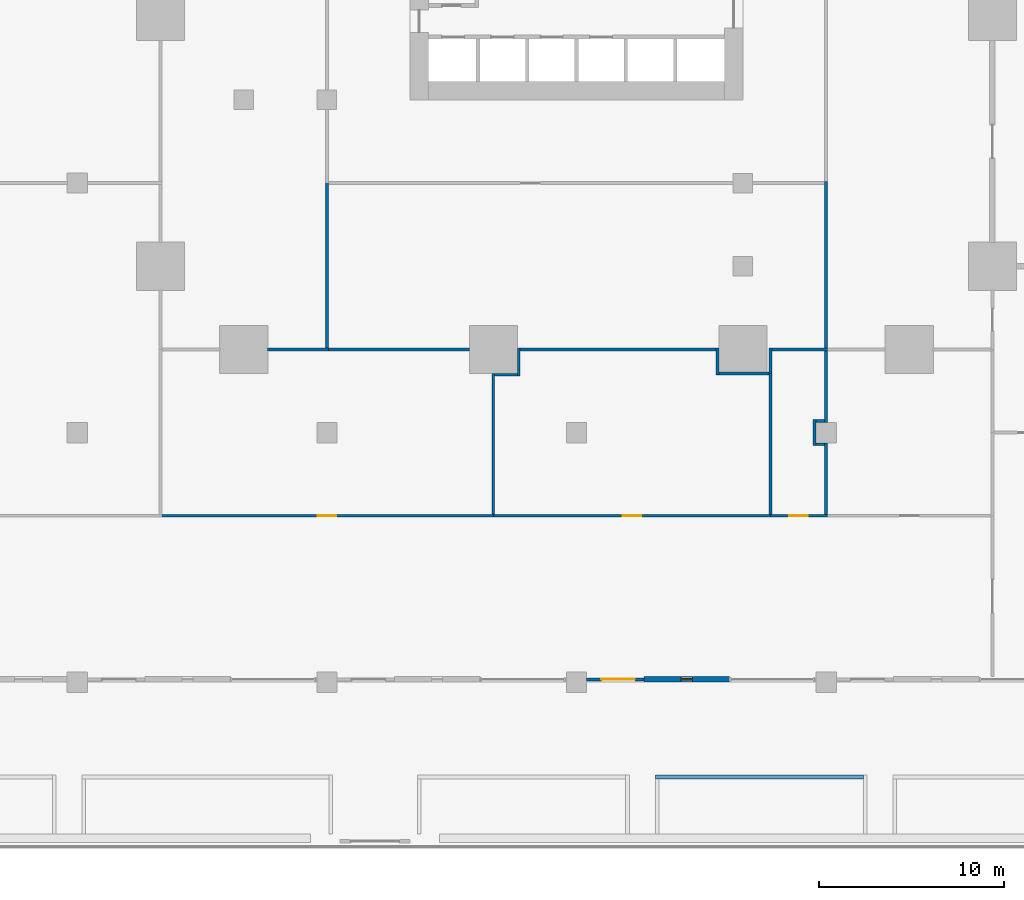
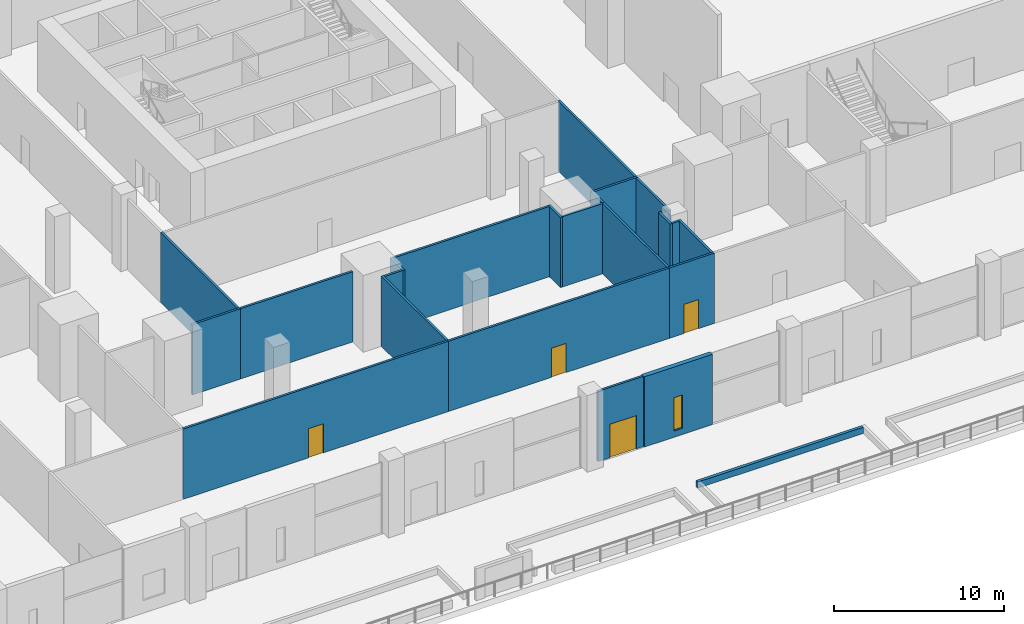
# One storey, part 21 of 47: 24 walls, 4 doors, 1 window, 5 openings.
"""IFC4 building model written with IfcOpenShell, lengths in metres."""

from ifc_helpers import new_model, si_unit, direction, frame, frame_2d, origin, place, context, subcontext, project, spatial, rectangle, extrude, material, layer, layer_set, type_object, element, fill, save


model = new_model("IFC4")

# Units and contexts
model_context = context("Model", 3, precision=1e-05, world=origin(), true_north=direction((0.0, 1.0)))
body_context = subcontext(model_context, "Body", "Model", "MODEL_VIEW")
ifc_project = project(units=[si_unit("LENGTHUNIT", "METRE"), si_unit("AREAUNIT", "SQUARE_METRE"), si_unit("VOLUMEUNIT", "CUBIC_METRE"), si_unit("PLANEANGLEUNIT", "RADIAN"), si_unit("MASSUNIT", "GRAM", prefix="KILO")], contexts=[model_context])

# Site, building, storey
site_placement = place(None, origin())
site = spatial("IfcSite", under=ifc_project, at=site_placement, CompositionType="ELEMENT")
building_placement = place(site_placement, origin())
building = spatial("IfcBuilding", under=site, at=building_placement, Name="Altepetl Exchange Towers", CompositionType="ELEMENT")
storey_placement = place(building_placement, frame((0.0, 0.0, 6.0)))
storey = spatial("IfcBuildingStorey", under=building, at=storey_placement, Name="L01 Retail podium", CompositionType="ELEMENT", Elevation=6.0)

# Wall, opening, door
ifc_material_1 = material(Name="Aluminium composite cladding", Category="aluminium")
ifc_layer_1 = layer(ifc_material_1, 0.14990234375)
ifc_layer_set_1 = layer_set([ifc_layer_1], Name="Aluminium composite cladding")
wall_type_1 = type_object("IfcWallType", Name="Infill wall 150 aluminium panel", PredefinedType="SOLIDWALL", material=ifc_layer_set_1)
wall_1_placement = place(storey_placement, frame((50.050048828125, 9.14990234375, 0.0)))
wall_1 = element("IfcWall", 1, at=wall_1_placement, inside=storey, type_object=wall_type_1, Name="Door bay wall", PredefinedType="SOLIDWALL", context=body_context, shape_type="SweptSolid", body=[
    extrude(rectangle(XDim=3.099853515625, YDim=0.14990234375, at=frame_2d((1.5498046875, 0.0))), origin(), (0.0, 0.0, 1.0), 5.050048828125),
])
opening_1_placement = place(wall_1_placement, frame((0.800048828125, 0.0, 0.0)))
opening_1 = element("IfcOpeningElement", 2, at=opening_1_placement, cuts=wall_1, Name="Opening L01.E13", PredefinedType="OPENING", context=body_context, shape_type="SweptSolid", body=[
    extrude(rectangle(XDim=1.800048828125, YDim=2.39990234375, at=frame_2d((0.89990234375, 1.199951171875))), frame((0.0, 0.0849609375, 0.0), z_axis=(0.0, -1.0, 0.0), x_axis=(1.0, 0.0, 0.0)), (0.0, 0.0, 1.0), 0.169921875),
])
ifc_material_2 = material(Name="Aluminium 6063-T6 and glass", Category="aluminium")
door_type_1 = type_object("IfcDoorType", Name="Glazed door pair 1800x2400", OperationType="DOUBLE_DOOR_DOUBLE_SWING", PredefinedType="NOTDEFINED", material=ifc_material_2)
door_1_placement = place(opening_1_placement, frame((1.800048828125, 0.0, 0.0), x_axis=(-1.0, 0.0, 0.0)))
door_1 = element("IfcDoor", 3, at=door_1_placement, inside=storey, type_object=door_type_1, Name="Terrace door", OperationType="DOUBLE_DOOR_DOUBLE_SWING", OverallHeight=2.39990234375, OverallWidth=1.800048828125, PredefinedType="NOTDEFINED", context=body_context, shape_type="SweptSolid", body=[
    extrude(rectangle(XDim=1.800048828125, YDim=2.39990234375, at=frame_2d((0.89990234375, 1.199951171875))), frame((0.0, 0.02490234375, 0.0), z_axis=(0.0, -1.0, 0.0), x_axis=(1.0, 0.0, 0.0)), (0.0, 0.0, 1.0), 0.050048828125),
])
fill(opening_1, door_1)

# Wall
ifc_material_3 = material(Name="Reinforced concrete C35/45", Category="concrete")
ifc_layer_2 = layer(ifc_material_3, 0.199951171875)
ifc_layer_set_2 = layer_set([ifc_layer_2], Name="Reinforced concrete C35/45")
wall_type_2 = type_object("IfcWallType", Name="Planting bed curb 200", PredefinedType="SOLIDWALL", material=ifc_layer_set_2)
wall_2_placement = place(storey_placement, frame((53.760009765625, 3.875, 0.0)))
element("IfcWall", 4, at=wall_2_placement, inside=storey, type_object=wall_type_2, Name="wall:P:L01:CB05n", PredefinedType="SOLIDWALL", context=body_context, shape_type="SweptSolid", body=[
    extrude(rectangle(XDim=11.260009765625, YDim=0.199951171875, at=frame_2d((5.6298828125, 0.0))), origin(), (0.0, 0.0, 1.0), 0.449951171875),
])

# Wall, opening, door
ifc_material_4 = material(Name="Gypsum board on steel studs", Category="steel")
ifc_layer_3 = layer(ifc_material_4, 0.14990234375)
ifc_layer_set_3 = layer_set([ifc_layer_3], Name="Gypsum board on steel studs")
wall_type_3 = type_object("IfcWallType", Name="Podium partition 150", PredefinedType="PARTITIONING", material=ifc_layer_set_3)
wall_3_placement = place(storey_placement, frame((27.0, 18.0, 0.0)))
wall_3 = element("IfcWall", 5, at=wall_3_placement, inside=storey, type_object=wall_type_3, Name="wall:P:L01:P046", PredefinedType="PARTITIONING", context=body_context, shape_type="SweptSolid", body=[
    extrude(rectangle(XDim=18.074951171875, YDim=0.14990234375, at=frame_2d((9.03759765625, 0.0))), origin(), (0.0, 0.0, 1.0), 5.050048828125),
])
opening_2_placement = place(wall_3_placement, frame((8.5, 0.0, 0.0)))
opening_2 = element("IfcOpeningElement", 6, at=opening_2_placement, cuts=wall_3, Name="Opening L01.P005", PredefinedType="OPENING", context=body_context, shape_type="SweptSolid", body=[
    extrude(rectangle(XDim=1.0, YDim=2.10009765625, at=frame_2d((0.5, 1.050048828125))), frame((0.0, 0.0849609375, 0.0), z_axis=(0.0, -1.0, 0.0), x_axis=(1.0, 0.0, 0.0)), (0.0, 0.0, 1.0), 0.169921875),
])
ifc_material_5 = material(Name="Steel and timber fire door", Category="steel")
door_type_2 = type_object("IfcDoorType", Name="Podium fire door 1000 x 2100 single leaf", OperationType="SINGLE_SWING_LEFT", PredefinedType="DOOR", material=ifc_material_5)
door_2_placement = place(opening_2_placement, origin())
door_2 = element("IfcDoor", 7, at=door_2_placement, inside=storey, type_object=door_type_2, Name="door:P:L01:005", OperationType="SINGLE_SWING_RIGHT", OverallHeight=2.10009765625, OverallWidth=1.0, PredefinedType="DOOR", context=body_context, shape_type="SweptSolid", body=[
    extrude(rectangle(XDim=1.0, YDim=2.10009765625, at=frame_2d((0.5, 1.050048828125))), frame((0.0, 0.02490234375, 0.0), z_axis=(0.0, -1.0, 0.0), x_axis=(1.0, 0.0, 0.0)), (0.0, 0.0, 1.0), 0.050048828125),
])
fill(opening_2, door_2)

wall_4_placement = place(storey_placement, frame((45.0, 18.0, 0.0)))
wall_4 = element("IfcWall", 8, at=wall_4_placement, inside=storey, type_object=wall_type_3, Name="wall:P:L01:P047", PredefinedType="PARTITIONING", context=body_context, shape_type="SweptSolid", body=[
    extrude(rectangle(XDim=15.074951171875, YDim=0.14990234375, at=frame_2d((7.53759765625, 0.0))), origin(), (0.0, 0.0, 1.0), 5.050048828125),
])
opening_3_placement = place(wall_4_placement, frame((7.0, 0.0, 0.0)))
opening_3 = element("IfcOpeningElement", 9, at=opening_3_placement, cuts=wall_4, Name="Opening L01.P006", PredefinedType="OPENING", context=body_context, shape_type="SweptSolid", body=[
    extrude(rectangle(XDim=1.0, YDim=2.10009765625, at=frame_2d((0.5, 1.050048828125))), frame((0.0, 0.0849609375, 0.0), z_axis=(0.0, -1.0, 0.0), x_axis=(1.0, 0.0, 0.0)), (0.0, 0.0, 1.0), 0.169921875),
])
door_3_placement = place(opening_3_placement, origin())
door_3 = element("IfcDoor", 10, at=door_3_placement, inside=storey, type_object=door_type_2, Name="door:P:L01:006", OperationType="SINGLE_SWING_RIGHT", OverallHeight=2.10009765625, OverallWidth=1.0, PredefinedType="DOOR", context=body_context, shape_type="SweptSolid", body=[
    extrude(rectangle(XDim=1.0, YDim=2.10009765625, at=frame_2d((0.5, 1.050048828125))), frame((0.0, 0.02490234375, 0.0), z_axis=(0.0, -1.0, 0.0), x_axis=(1.0, 0.0, 0.0)), (0.0, 0.0, 1.0), 0.050048828125),
])
fill(opening_3, door_3)

wall_5_placement = place(storey_placement, frame((60.0, 18.0, 0.0)))
wall_5 = element("IfcWall", 11, at=wall_5_placement, inside=storey, type_object=wall_type_3, Name="wall:P:L01:P048", PredefinedType="PARTITIONING", context=body_context, shape_type="SweptSolid", body=[
    extrude(rectangle(XDim=3.074951171875, YDim=0.14990234375, at=frame_2d((1.53759765625, 0.0))), origin(), (0.0, 0.0, 1.0), 5.050048828125),
])
opening_4_placement = place(wall_5_placement, frame((1.0, 0.0, 0.0)))
opening_4 = element("IfcOpeningElement", 12, at=opening_4_placement, cuts=wall_5, Name="Opening L01.P007", PredefinedType="OPENING", context=body_context, shape_type="SweptSolid", body=[
    extrude(rectangle(XDim=1.0, YDim=2.10009765625, at=frame_2d((0.5, 1.050048828125))), frame((0.0, 0.0849609375, 0.0), z_axis=(0.0, -1.0, 0.0), x_axis=(1.0, 0.0, 0.0)), (0.0, 0.0, 1.0), 0.169921875),
])
door_4_placement = place(opening_4_placement, origin())
door_4 = element("IfcDoor", 13, at=door_4_placement, inside=storey, type_object=door_type_2, Name="door:P:L01:007", OperationType="SINGLE_SWING_RIGHT", OverallHeight=2.10009765625, OverallWidth=1.0, PredefinedType="DOOR", context=body_context, shape_type="SweptSolid", body=[
    extrude(rectangle(XDim=1.0, YDim=2.10009765625, at=frame_2d((0.5, 1.050048828125))), frame((0.0, 0.02490234375, 0.0), z_axis=(0.0, -1.0, 0.0), x_axis=(1.0, 0.0, 0.0)), (0.0, 0.0, 1.0), 0.050048828125),
])
fill(opening_4, door_4)

# Walls
wall_6_placement = place(storey_placement, frame((45.0, 18.074951171875, 0.0), z_axis=(0.0, 0.0, 1.0), x_axis=(0.0, 1.0, 0.0)))
element("IfcWall", 14, at=wall_6_placement, inside=storey, type_object=wall_type_3, Name="wall:P:L01:P080", PredefinedType="PARTITIONING", context=body_context, shape_type="SweptSolid", body=[
    extrude(rectangle(XDim=7.625, YDim=0.14990234375, at=frame_2d((3.8125, 0.0))), origin(), (0.0, 0.0, 1.0), 5.050048828125),
])
wall_7_placement = place(storey_placement, frame((32.794921875, 27.0, 0.0)))
element("IfcWall", 15, at=wall_7_placement, inside=storey, type_object=wall_type_3, Name="wall:P:L01:P082", PredefinedType="PARTITIONING", context=body_context, shape_type="SweptSolid", body=[
    extrude(rectangle(XDim=3.280029296875, YDim=0.14990234375, at=frame_2d((1.64013671875, 0.0))), origin(), (0.0, 0.0, 1.0), 5.050048828125),
])
wall_8_placement = place(storey_placement, frame((36.0, 27.0, 0.0)))
element("IfcWall", 16, at=wall_8_placement, inside=storey, type_object=wall_type_3, Name="wall:P:L01:P083", PredefinedType="PARTITIONING", context=body_context, shape_type="SweptSolid", body=[
    extrude(rectangle(XDim=7.705078125, YDim=0.14990234375, at=frame_2d((3.8525390625, 0.0))), origin(), (0.0, 0.0, 1.0), 5.050048828125),
])
wall_9_placement = place(storey_placement, frame((60.0, 18.074951171875, 0.0), z_axis=(0.0, 0.0, 1.0), x_axis=(0.0, 1.0, 0.0)))
element("IfcWall", 17, at=wall_9_placement, inside=storey, type_object=wall_type_3, Name="wall:P:L01:P084", PredefinedType="PARTITIONING", context=body_context, shape_type="SweptSolid", body=[
    extrude(rectangle(XDim=7.699951171875, YDim=0.14990234375, at=frame_2d((3.85009765625, 0.0))), origin(), (0.0, 0.0, 1.0), 5.050048828125),
])
wall_10_placement = place(storey_placement, frame((46.375, 25.550048828125, 0.0), z_axis=(0.0, 0.0, 1.0), x_axis=(0.0, 1.0, 0.0)))
element("IfcWall", 18, at=wall_10_placement, inside=storey, type_object=wall_type_3, Name="wall:P:L01:P085", PredefinedType="PARTITIONING", context=body_context, shape_type="SweptSolid", body=[
    extrude(rectangle(XDim=1.52490234375, YDim=0.14990234375, at=frame_2d((0.762451171875, 0.0))), origin(), (0.0, 0.0, 1.0), 5.050048828125),
])
wall_11_placement = place(storey_placement, frame((57.125, 25.625, 0.0), z_axis=(0.0, 0.0, 1.0), x_axis=(0.0, 1.0, 0.0)))
element("IfcWall", 19, at=wall_11_placement, inside=storey, type_object=wall_type_3, Name="wall:P:L01:P086", PredefinedType="PARTITIONING", context=body_context, shape_type="SweptSolid", body=[
    extrude(rectangle(XDim=1.449951171875, YDim=0.14990234375, at=frame_2d((0.72509765625, 0.0))), origin(), (0.0, 0.0, 1.0), 5.050048828125),
])
wall_12_placement = place(storey_placement, frame((45.074951171875, 25.625, 0.0)))
element("IfcWall", 20, at=wall_12_placement, inside=storey, type_object=wall_type_3, Name="wall:P:L01:P087", PredefinedType="PARTITIONING", context=body_context, shape_type="SweptSolid", body=[
    extrude(rectangle(XDim=1.22509765625, YDim=0.14990234375, at=frame_2d((0.612548828125, 0.0))), origin(), (0.0, 0.0, 1.0), 5.050048828125),
])
wall_13_placement = place(storey_placement, frame((57.199951171875, 25.699951171875, 0.0)))
element("IfcWall", 21, at=wall_13_placement, inside=storey, type_object=wall_type_3, Name="wall:P:L01:P088", PredefinedType="PARTITIONING", context=body_context, shape_type="SweptSolid", body=[
    extrude(rectangle(XDim=2.72509765625, YDim=0.14990234375, at=frame_2d((1.362548828125, 0.0))), origin(), (0.0, 0.0, 1.0), 5.050048828125),
])
wall_14_placement = place(storey_placement, frame((46.449951171875, 27.0, 0.0)))
element("IfcWall", 22, at=wall_14_placement, inside=storey, type_object=wall_type_3, Name="wall:P:L01:P089", PredefinedType="PARTITIONING", context=body_context, shape_type="SweptSolid", body=[
    extrude(rectangle(XDim=10.60009765625, YDim=0.14990234375, at=frame_2d((5.300048828125, 0.0))), origin(), (0.0, 0.0, 1.0), 5.050048828125),
])
wall_15_placement = place(storey_placement, frame((62.375, 21.800048828125, 0.0), z_axis=(0.0, 0.0, 1.0), x_axis=(0.0, 1.0, 0.0)))
element("IfcWall", 23, at=wall_15_placement, inside=storey, type_object=wall_type_3, Name="wall:P:L01:P090", PredefinedType="PARTITIONING", context=body_context, shape_type="SweptSolid", body=[
    extrude(rectangle(XDim=1.39990234375, YDim=0.14990234375, at=frame_2d((0.699951171875, 0.0))), origin(), (0.0, 0.0, 1.0), 5.050048828125),
])
wall_16_placement = place(storey_placement, frame((63.0, 18.074951171875, 0.0), z_axis=(0.0, 0.0, 1.0), x_axis=(0.0, 1.0, 0.0)))
element("IfcWall", 24, at=wall_16_placement, inside=storey, type_object=wall_type_3, Name="wall:P:L01:P091", PredefinedType="PARTITIONING", context=body_context, shape_type="SweptSolid", body=[
    extrude(rectangle(XDim=3.875, YDim=0.14990234375, at=frame_2d((1.9375, 0.0))), origin(), (0.0, 0.0, 1.0), 5.050048828125),
])
wall_17_placement = place(storey_placement, frame((63.0, 23.050048828125, 0.0), z_axis=(0.0, 0.0, 1.0), x_axis=(0.0, 1.0, 0.0)))
element("IfcWall", 25, at=wall_17_placement, inside=storey, type_object=wall_type_3, Name="wall:P:L01:P092", PredefinedType="PARTITIONING", context=body_context, shape_type="SweptSolid", body=[
    extrude(rectangle(XDim=4.02490234375, YDim=0.14990234375, at=frame_2d((2.012451171875, 0.0))), origin(), (0.0, 0.0, 1.0), 5.050048828125),
])
for number, where, name in (
    (26, (62.449951171875, 21.875, 0.0), "wall:P:L01:P093"),
    (27, (62.449951171875, 23.125, 0.0), "wall:P:L01:P094"),
):
    element("IfcWall", number, at=place(storey_placement, frame(where)), inside=storey, type_object=wall_type_3, Name=name, PredefinedType="PARTITIONING", context=body_context, shape_type="SweptSolid", body=[
        extrude(rectangle(XDim=0.47509765625, YDim=0.14990234375, at=frame_2d((0.237548828125, 0.0))), origin(), (0.0, 0.0, 1.0), 5.050048828125),
    ])
wall_18_placement = place(storey_placement, frame((60.0, 25.699951171875, 0.0), z_axis=(0.0, 0.0, 1.0), x_axis=(0.0, 1.0, 0.0)))
element("IfcWall", 28, at=wall_18_placement, inside=storey, type_object=wall_type_3, Name="wall:P:L01:P095", PredefinedType="PARTITIONING", context=body_context, shape_type="SweptSolid", body=[
    extrude(rectangle(XDim=1.375, YDim=0.14990234375, at=frame_2d((0.6875, 0.0))), origin(), (0.0, 0.0, 1.0), 5.050048828125),
])
wall_19_placement = place(storey_placement, frame((60.074951171875, 27.0, 0.0)))
element("IfcWall", 29, at=wall_19_placement, inside=storey, type_object=wall_type_3, Name="wall:P:L01:P096", PredefinedType="PARTITIONING", context=body_context, shape_type="SweptSolid", body=[
    extrude(rectangle(XDim=3.0, YDim=0.14990234375, at=frame_2d((1.5, 0.0))), origin(), (0.0, 0.0, 1.0), 5.050048828125),
])
for number, where, z_axis, x_axis, name in (
    (30, (63.0, 27.074951171875, 0.0), (0.0, 0.0, 1.0), (0.0, 1.0, 0.0), "wall:P:L01:P109"),
    (31, (36.0, 27.074951171875, 0.0), (0.0, 0.0, 1.0), (0.0, 1.0, 0.0), "wall:P:L01:P115"),
):
    element("IfcWall", number, at=place(storey_placement, frame(where, z_axis=z_axis, x_axis=x_axis)), inside=storey, type_object=wall_type_3, Name=name, PredefinedType="PARTITIONING", context=body_context, shape_type="SweptSolid", body=[
        extrude(rectangle(XDim=9.0, YDim=0.14990234375, at=frame_2d((4.5, 0.0))), origin(), (0.0, 0.0, 1.0), 5.050048828125),
    ])

# Wall, opening, window
ifc_material_6 = material(Name="Cantera limestone cladding", Category="masonry")
ifc_layer_4 = layer(ifc_material_6, 0.300048828125)
ifc_layer_set_4 = layer_set([ifc_layer_4], Name="Cantera limestone cladding")
wall_type_4 = type_object("IfcWallType", Name="Stone wall panel 300", PredefinedType="ELEMENTEDWALL", material=ifc_layer_set_4)
wall_20_placement = place(storey_placement, frame((53.14990234375, 9.14990234375, 0.0)))
wall_20 = element("IfcWall", 32, at=wall_20_placement, inside=storey, type_object=wall_type_4, Name="Stone wall panel", PredefinedType="ELEMENTEDWALL", context=body_context, shape_type="SweptSolid", body=[
    extrude(rectangle(XDim=4.625, YDim=0.300048828125, at=frame_2d((2.3125, 0.0))), origin(), (0.0, 0.0, 1.0), 5.050048828125),
])
opening_5_placement = place(wall_20_placement, frame((2.012451171875, 0.0, 0.449951171875)))
opening_5 = element("IfcOpeningElement", 33, at=opening_5_placement, cuts=wall_20, Name="Opening W3", PredefinedType="OPENING", context=body_context, shape_type="SweptSolid", body=[
    extrude(rectangle(XDim=0.60009765625, YDim=2.39990234375, at=frame_2d((0.300048828125, 1.199951171875))), frame((0.0, 0.16015625, 0.0), z_axis=(0.0, -1.0, 0.0), x_axis=(1.0, 0.0, 0.0)), (0.0, 0.0, 1.0), 0.320068359375),
])
window_type = type_object("IfcWindowType", Name="Tall slot window 600x2400", PartitioningType="SINGLE_PANEL", PredefinedType="WINDOW", material=ifc_material_2)
window_placement = place(opening_5_placement, origin())
window = element("IfcWindow", 34, at=window_placement, inside=storey, type_object=window_type, Name="Window", OverallHeight=2.39990234375, OverallWidth=0.60009765625, PartitioningType="SINGLE_PANEL", PredefinedType="WINDOW", context=body_context, shape_type="SweptSolid", body=[
    extrude(rectangle(XDim=0.60009765625, YDim=2.39990234375, at=frame_2d((0.300048828125, 1.199951171875))), frame((0.0, 0.030029296875, 0.0), z_axis=(0.0, -1.0, 0.0), x_axis=(1.0, 0.0, 0.0)), (0.0, 0.0, 1.0), 0.06005859375),
])
fill(opening_5, window)

save(model, "model.ifc")
